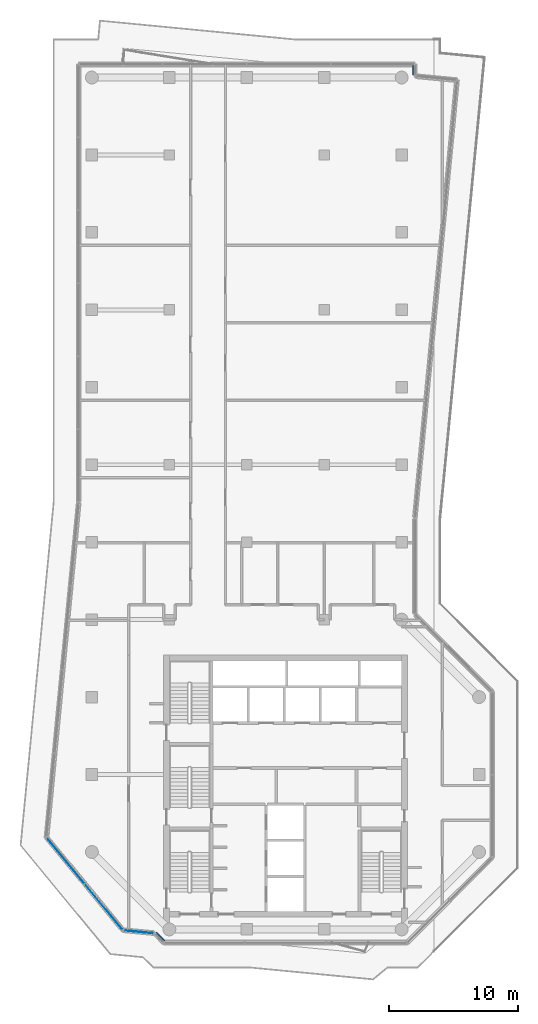
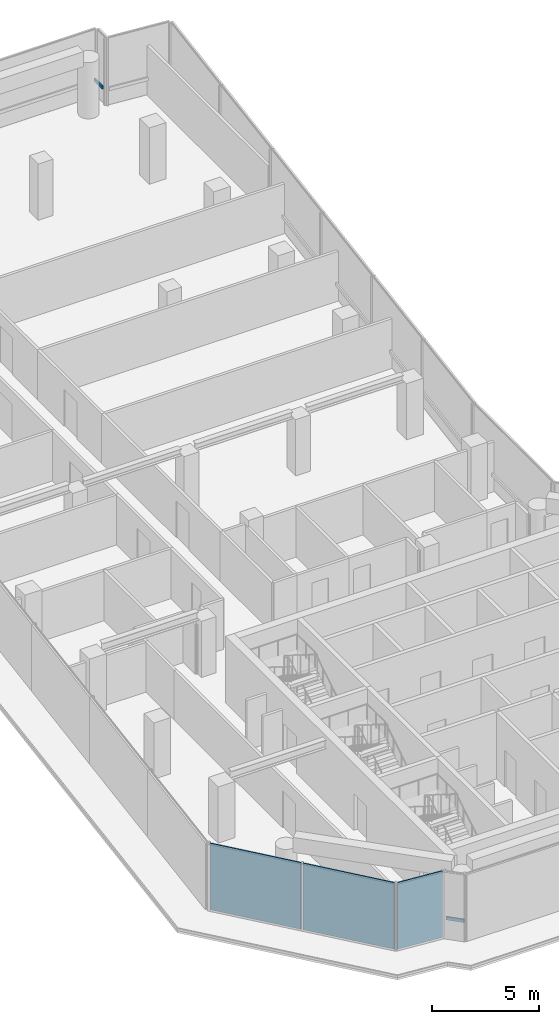
# One storey, part 5 of 13: 3 plates, 2 members, 4 elements without a shape of their own.
"""IFC4 building model written with IfcOpenShell, lengths in metres."""

from ifc_helpers import new_model, si_unit, direction, frame, origin, origin_2d, place, context, subcontext, project, spatial, rectangle, extrude, material, layer, layer_set, material_profile, profile_set, type_object, element, aggregate, save


model = new_model("IFC4")

# Units and contexts
model_context = context("Model", 3, precision=1e-05, world=origin(), true_north=direction((0.0, 1.0)))
body_context = subcontext(model_context, "Body", "Model", "MODEL_VIEW")
ifc_project = project(units=[si_unit("LENGTHUNIT", "METRE"), si_unit("AREAUNIT", "SQUARE_METRE"), si_unit("VOLUMEUNIT", "CUBIC_METRE"), si_unit("PLANEANGLEUNIT", "RADIAN"), si_unit("MASSUNIT", "GRAM", prefix="KILO")], contexts=[model_context])

# Site, building, storey
site_placement = place(None, origin())
site = spatial("IfcSite", under=ifc_project, at=site_placement, CompositionType="ELEMENT")
building_placement = place(site_placement, origin())
building = spatial("IfcBuilding", under=site, at=building_placement, Name="Welwitschia Terrace Campus", CompositionType="ELEMENT")
storey_placement = place(building_placement, frame((0.0, 0.0, 251.60009765625)))
storey = spatial("IfcBuildingStorey", under=building, at=storey_placement, Name="L56", CompositionType="ELEMENT", Elevation=251.60009765625)

# Curtain wall, member
ifc_material_1 = material(Name="Bronze anodised aluminium", Category="aluminium")
ifc_layer_1 = layer(ifc_material_1, 0.199951171875)
ifc_layer_set_1 = layer_set([ifc_layer_1], Name="Bronze anodised aluminium")
curtain_wall_type = type_object("IfcCurtainWallType", Name="Curtain wall CW6 plant floor 6000", PredefinedType="NOTDEFINED", material=ifc_layer_set_1)
curtain_wall_1_placement = place(storey_placement, origin())
curtain_wall_1 = element("IfcCurtainWall", 1, at=curtain_wall_1_placement, inside=storey, type_object=curtain_wall_type, Name="CW L56.4.0", PredefinedType="NOTDEFINED")
ifc_material_2 = material(Name="Bronze anodised aluminium", Category="aluminium")
ifc_material_profile = material_profile(ifc_material_2, rectangle(XDim=0.080078125, YDim=0.179931640625, at=origin_2d()))
ifc_profile_set = profile_set([ifc_material_profile], Name="Bronze anodised aluminium")
member_type = type_object("IfcMemberType", Name="Transom 80x180", PredefinedType="USERDEFINED", material=ifc_profile_set)
member_1_placement = place(storey_placement, frame((5.0048828125, 3.736328125, 1.0), z_axis=(0.707106781187, -0.707106781187, 0.0), x_axis=(0.707106781187, 0.707106781187, 0.0)))
member_1 = element("IfcMember", 2, at=member_1_placement, type_object=member_type, Name="Transom L56.4.0", ObjectType="TRANSOM", PredefinedType="USERDEFINED", context=body_context, shape_type="SweptSolid", body=[
    extrude(rectangle(XDim=0.080078125, YDim=0.179931640625, at=origin_2d()), origin(), (0.0, 0.0, 1.0), 0.86376953125),
])
aggregate(curtain_wall_1, [member_1])

curtain_wall_2_placement = place(storey_placement, origin())
curtain_wall_2 = element("IfcCurtainWall", 3, at=curtain_wall_2_placement, inside=storey, type_object=curtain_wall_type, Name="CW L56.12.0", PredefinedType="NOTDEFINED")
member_2_placement = place(storey_placement, frame((24.889892578125, 70.20556640625, 1.0), z_axis=(0.0, 1.0, 0.0), x_axis=(-1.0, 0.0, 0.0)))
member_2 = element("IfcMember", 4, at=member_2_placement, type_object=member_type, Name="Transom L56.12.0", ObjectType="TRANSOM", PredefinedType="USERDEFINED", context=body_context, shape_type="SweptSolid", body=[
    extrude(rectangle(XDim=0.080078125, YDim=0.179931640625, at=origin_2d()), origin(), (0.0, 0.0, 1.0), 0.744384765625),
])
aggregate(curtain_wall_2, [member_2])

# Curtain wall, plates
curtain_wall_3_placement = place(storey_placement, origin())
curtain_wall_3 = element("IfcCurtainWall", 5, at=curtain_wall_3_placement, inside=storey, type_object=curtain_wall_type, Name="CW L56.2.0", PredefinedType="NOTDEFINED")
ifc_material_3 = material(Name="Tinted bronze-grey glass", Category="glass")
ifc_layer_2 = layer(ifc_material_3, 0.035888671875)
ifc_layer_set_2 = layer_set([ifc_layer_2], Name="Tinted bronze-grey glass")
plate_type = type_object("IfcPlateType", Name="Glass panel 36 laminated", PredefinedType="CURTAIN_PANEL", material=ifc_layer_set_2)
plate_1_placement = place(storey_placement, frame((-2.033203125, 9.31787109375, 0.0), z_axis=(0.0, 0.0, 1.0), x_axis=(0.636078220278, -0.771624583388, 0.0)))
plate_1 = element("IfcPlate", 6, at=plate_1_placement, type_object=plate_type, Name="Panel L56.2.0.0", PredefinedType="CURTAIN_PANEL", context=body_context, shape_type="SweptSolid", body=[
    extrude(rectangle(XDim=4.54931640625, YDim=0.035888671875, at=origin_2d()), origin(), (0.0, 0.0, 1.0), 3.800048828125),
])
plate_2_placement = place(storey_placement, frame((0.911376953125, 5.745849609375, 0.0), z_axis=(0.0, 0.0, 1.0), x_axis=(0.636078220278, -0.771624583388, 0.0)))
plate_2 = element("IfcPlate", 7, at=plate_2_placement, type_object=plate_type, Name="Panel L56.2.0.1", PredefinedType="CURTAIN_PANEL", context=body_context, shape_type="SweptSolid", body=[
    extrude(rectangle(XDim=4.54931640625, YDim=0.035888671875, at=origin_2d()), origin(), (0.0, 0.0, 1.0), 3.800048828125),
])
aggregate(curtain_wall_3, [plate_1, plate_2])

# Curtain wall, plate
curtain_wall_4_placement = place(storey_placement, origin())
curtain_wall_4 = element("IfcCurtainWall", 8, at=curtain_wall_4_placement, inside=storey, type_object=curtain_wall_type, Name="CW L56.3.0", PredefinedType="NOTDEFINED")
plate_3_placement = place(storey_placement, frame((3.629150390625, 3.8115234375, 0.0), z_axis=(0.0, 0.0, 1.0), x_axis=(0.995396198367, -0.09584575252, 0.0)))
plate_3 = element("IfcPlate", 9, at=plate_3_placement, type_object=plate_type, Name="Panel L56.3.0.0", PredefinedType="CURTAIN_PANEL", context=body_context, shape_type="SweptSolid", body=[
    extrude(rectangle(XDim=2.291748046875, YDim=0.035888671875, at=origin_2d()), origin(), (0.0, 0.0, 1.0), 3.800048828125),
])
aggregate(curtain_wall_4, [plate_3])

save(model, "model.ifc")
